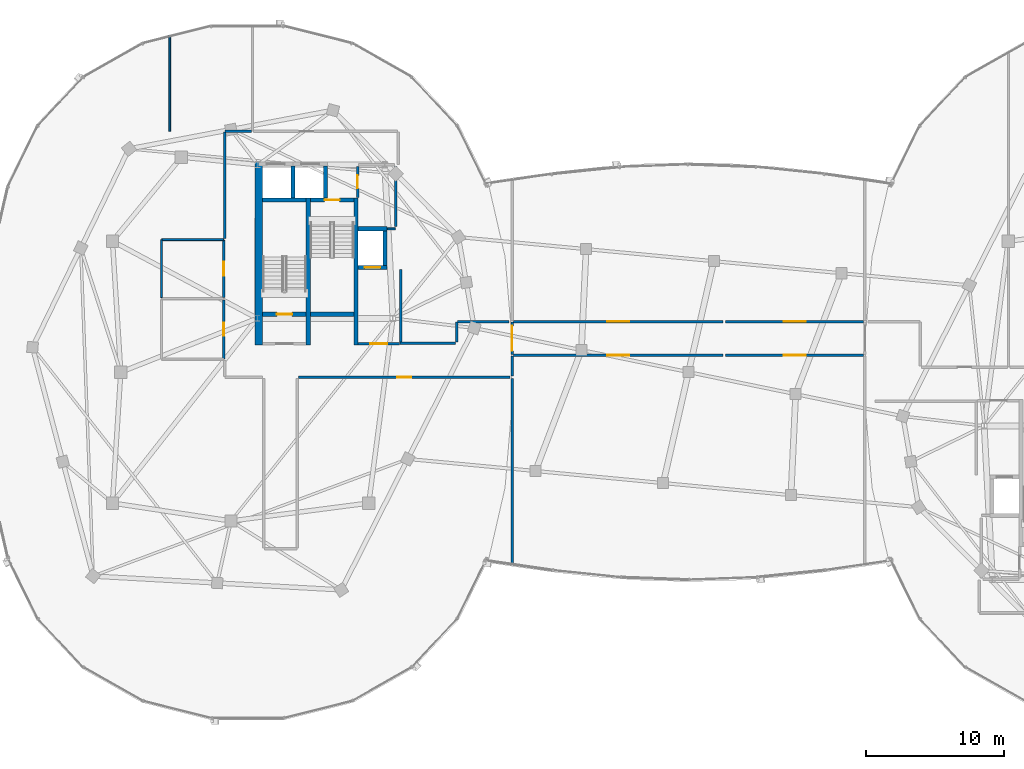
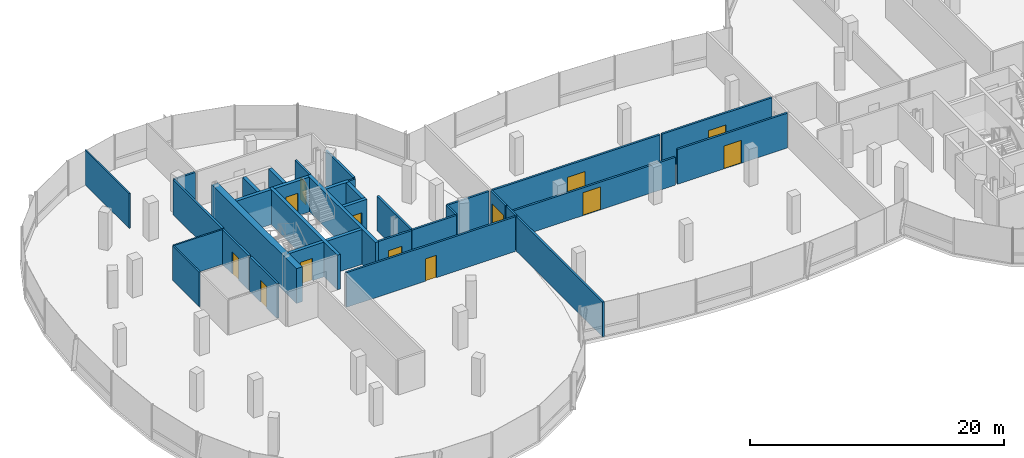
# One storey, part 14 of 24: 35 walls, 13 doors, 13 openings.
"""IFC4 building model written with IfcOpenShell, lengths in metres."""

from ifc_helpers import new_model, si_unit, direction, frame, frame_2d, origin, place, context, subcontext, project, spatial, rectangle, extrude, material, layer, layer_set, type_object, element, fill, save


model = new_model("IFC4")

# Units and contexts
model_context = context("Model", 3, precision=1e-05, world=origin(), true_north=direction((0.0, 1.0)))
body_context = subcontext(model_context, "Body", "Model", "MODEL_VIEW")
ifc_project = project(units=[si_unit("LENGTHUNIT", "METRE"), si_unit("AREAUNIT", "SQUARE_METRE"), si_unit("VOLUMEUNIT", "CUBIC_METRE"), si_unit("PLANEANGLEUNIT", "RADIAN"), si_unit("MASSUNIT", "GRAM", prefix="KILO"), si_unit("THERMODYNAMICTEMPERATUREUNIT", "KELVIN"), si_unit("POWERUNIT", "WATT")], contexts=[model_context])

# Site, building, storey
site_placement = place(None, origin())
site = spatial("IfcSite", under=ifc_project, at=site_placement, CompositionType="ELEMENT")
building_placement = place(site_placement, origin())
building = spatial("IfcBuilding", under=site, at=building_placement, Name="Cundina Bronze Exchange", CompositionType="ELEMENT")
storey_placement = place(building_placement, frame((0.0, 0.0, 268.39990234375)))
storey = spatial("IfcBuildingStorey", under=building, at=storey_placement, Name="L71", CompositionType="ELEMENT", Elevation=268.39990234375)

# Wall
ifc_material_1 = material(Name="Gypsum Fireboard Partition EI120")
ifc_layer_1 = layer(ifc_material_1, 0.179931640625, Name="Gypsum Fireboard Partition EI120")
ifc_layer_set_1 = layer_set([ifc_layer_1], Name="Gypsum Fireboard Partition EI120")
wall_type_1 = type_object("IfcWallType", Name="WL-COR-180", PredefinedType="PARTITIONING", material=ifc_layer_set_1)
wall_1_placement = place(storey_placement, frame((-20.889892578125, 2.14990234375, 0.0), z_axis=(0.0, 0.0, 1.0), x_axis=(0.0, 1.0, 0.0)))
element("IfcWall", 1, at=wall_1_placement, inside=storey, type_object=wall_type_1, Name="L71 W Firefighting Lobby Side Wall", PredefinedType="PARTITIONING", context=body_context, shape_type="SweptSolid", body=[
    extrude(rectangle(XDim=5.300048828125, YDim=0.179931640625, at=frame_2d((2.64990234375, 0.0))), origin(), (0.0, 0.0, 1.0), 3.340087890625),
])

# Wall, opening, door
wall_2_placement = place(storey_placement, frame((-23.97998046875, 2.06005859375, 0.0), z_axis=(0.0, 0.0, 1.0), x_axis=(1.0, 0.0, 0.0)))
wall_2 = element("IfcWall", 2, at=wall_2_placement, inside=storey, type_object=wall_type_1, Name="L71 W Firefighting Lobby Exit Wall", PredefinedType="PARTITIONING", context=body_context, shape_type="SweptSolid", body=[
    extrude(rectangle(XDim=3.0, YDim=0.179931640625, at=frame_2d((1.5, 0.0))), origin(), (0.0, 0.0, 1.0), 3.340087890625),
])
opening_1_placement = place(wall_2_placement, frame((0.89990234375, 0.0, 0.0)))
opening_1 = element("IfcOpeningElement", 3, at=opening_1_placement, cuts=wall_2, Name="Opening DF-01", PredefinedType="OPENING", context=body_context, shape_type="SweptSolid", body=[
    extrude(rectangle(XDim=1.199951171875, YDim=2.14990234375, at=frame_2d((0.60009765625, 1.074951171875))), frame((0.0, 0.099853515625, 0.0), z_axis=(0.0, -1.0, 0.0), x_axis=(1.0, 0.0, 0.0)), (0.0, 0.0, 1.0), 0.199951171875),
])
ifc_material_2 = material(Name="Steel ASTM A36 Painted", Category="steel")
door_type_1 = type_object("IfcDoorType", Name="DR-FFL-1200", OperationType="NOTDEFINED", PredefinedType="DOOR", material=ifc_material_2)
door_1_placement = place(opening_1_placement, origin())
door_1 = element("IfcDoor", 4, at=door_1_placement, inside=storey, type_object=door_type_1, Name="L71 W Firefighting Lobby Door", OperationType="SINGLE_SWING_RIGHT", OverallHeight=2.14990234375, OverallWidth=1.199951171875, PredefinedType="DOOR", context=body_context, shape_type="SweptSolid", body=[
    extrude(rectangle(XDim=1.199951171875, YDim=2.14990234375, at=frame_2d((0.60009765625, 1.074951171875))), frame((0.0, 0.02490234375, 0.0), z_axis=(0.0, -1.0, 0.0), x_axis=(1.0, 0.0, 0.0)), (0.0, 0.0, 1.0), 0.050048828125),
])
fill(opening_1, door_1)

# Wall
wall_3_placement = place(storey_placement, frame((-21.25, 10.570068359375, 0.0), z_axis=(0.0, 0.0, 1.0), x_axis=(0.0, 1.0, 0.0)))
element("IfcWall", 5, at=wall_3_placement, inside=storey, type_object=wall_type_1, Name="L71 Interior Partition 002", PredefinedType="PARTITIONING", context=body_context, shape_type="SweptSolid", body=[
    extrude(rectangle(XDim=4.35986328125, YDim=0.179931640625, at=frame_2d((2.179931640625, 0.0))), origin(), (0.0, 0.0, 1.0), 3.340087890625),
])

# Wall, opening, door
wall_4_placement = place(storey_placement, frame((-24.02001953125, 12.669921875, 0.0), z_axis=(0.0, 0.0, 1.0), x_axis=(0.0, 1.0, 0.0)))
wall_4 = element("IfcWall", 6, at=wall_4_placement, inside=storey, type_object=wall_type_1, Name="L71 Interior Partition 004", PredefinedType="PARTITIONING", context=body_context, shape_type="SweptSolid", body=[
    extrude(rectangle(XDim=2.260009765625, YDim=0.179931640625, at=frame_2d((1.1298828125, 0.0))), origin(), (0.0, 0.0, 1.0), 3.340087890625),
])
opening_2_placement = place(wall_4_placement, frame((0.655029296875, 0.0, 0.0)))
opening_2 = element("IfcOpeningElement", 7, at=opening_2_placement, cuts=wall_4, Name="Opening DW-01", PredefinedType="OPENING", context=body_context, shape_type="SweptSolid", body=[
    extrude(rectangle(XDim=0.949951171875, YDim=2.10009765625, at=frame_2d((0.47509765625, 1.050048828125))), frame((0.0, 0.099853515625, 0.0), z_axis=(0.0, -1.0, 0.0), x_axis=(1.0, 0.0, 0.0)), (0.0, 0.0, 1.0), 0.199951171875),
])
ifc_material_3 = material(Name="Solid Andean Oak Timber Grade A", Category="wood")
door_type_2 = type_object("IfcDoorType", Name="DR-WC-950", OperationType="NOTDEFINED", PredefinedType="DOOR", material=ifc_material_3)
door_2_placement = place(opening_2_placement, origin())
door_2 = element("IfcDoor", 8, at=door_2_placement, inside=storey, type_object=door_type_2, Name="L71 Interior Door 004", OperationType="SINGLE_SWING_LEFT", OverallHeight=2.10009765625, OverallWidth=0.949951171875, PredefinedType="DOOR", context=body_context, shape_type="SweptSolid", body=[
    extrude(rectangle(XDim=0.949951171875, YDim=2.10009765625, at=frame_2d((0.47509765625, 1.050048828125))), frame((0.0, 0.02490234375, 0.0), z_axis=(0.0, -1.0, 0.0), x_axis=(1.0, 0.0, 0.0)), (0.0, 0.0, 1.0), 0.050048828125),
])
fill(opening_2, door_2)

wall_5_placement = place(storey_placement, frame((-33.719970703125, 0.969970703125, 0.0), z_axis=(0.0, 0.0, 1.0), x_axis=(0.0, 1.0, 0.0)))
wall_5 = element("IfcWall", 9, at=wall_5_placement, inside=storey, type_object=wall_type_1, Name="L71 Interior Partition 010", PredefinedType="PARTITIONING", context=body_context, shape_type="SweptSolid", body=[
    extrude(rectangle(XDim=4.260009765625, YDim=0.179931640625, at=frame_2d((2.1298828125, 0.0))), origin(), (0.0, 0.0, 1.0), 3.340087890625),
])
opening_3_placement = place(wall_5_placement, frame((1.655029296875, 0.0, 0.0)))
opening_3 = element("IfcOpeningElement", 10, at=opening_3_placement, cuts=wall_5, Name="Opening DW-01", PredefinedType="OPENING", context=body_context, shape_type="SweptSolid", body=[
    extrude(rectangle(XDim=0.949951171875, YDim=2.10009765625, at=frame_2d((0.47509765625, 1.050048828125))), frame((0.0, 0.099853515625, 0.0), z_axis=(0.0, -1.0, 0.0), x_axis=(1.0, 0.0, 0.0)), (0.0, 0.0, 1.0), 0.199951171875),
])
door_3_placement = place(opening_3_placement, origin())
door_3 = element("IfcDoor", 11, at=door_3_placement, inside=storey, type_object=door_type_2, Name="L71 Interior Door 010", OperationType="SINGLE_SWING_LEFT", OverallHeight=2.10009765625, OverallWidth=0.949951171875, PredefinedType="DOOR", context=body_context, shape_type="SweptSolid", body=[
    extrude(rectangle(XDim=0.949951171875, YDim=2.10009765625, at=frame_2d((0.47509765625, 1.050048828125))), frame((0.0, 0.02490234375, 0.0), z_axis=(0.0, -1.0, 0.0), x_axis=(1.0, 0.0, 0.0)), (0.0, 0.0, 1.0), 0.050048828125),
])
fill(opening_3, door_3)

wall_6_placement = place(storey_placement, frame((-33.719970703125, 5.429931640625, 0.0), z_axis=(0.0, 0.0, 1.0), x_axis=(0.0, 1.0, 0.0)))
wall_6 = element("IfcWall", 12, at=wall_6_placement, inside=storey, type_object=wall_type_1, Name="L71 Interior Partition 011", PredefinedType="PARTITIONING", context=body_context, shape_type="SweptSolid", body=[
    extrude(rectangle(XDim=4.16015625, YDim=0.179931640625, at=frame_2d((2.080078125, 0.0))), origin(), (0.0, 0.0, 1.0), 3.340087890625),
])
opening_4_placement = place(wall_6_placement, frame((1.580078125, 0.0, 0.0)))
opening_4 = element("IfcOpeningElement", 13, at=opening_4_placement, cuts=wall_6, Name="Opening DO-01", PredefinedType="OPENING", context=body_context, shape_type="SweptSolid", body=[
    extrude(rectangle(XDim=1.0, YDim=2.14990234375, at=frame_2d((0.5, 1.074951171875))), frame((0.0, 0.099853515625, 0.0), z_axis=(0.0, -1.0, 0.0), x_axis=(1.0, 0.0, 0.0)), (0.0, 0.0, 1.0), 0.199951171875),
])
door_type_3 = type_object("IfcDoorType", Name="DR-OFF-1000", OperationType="NOTDEFINED", PredefinedType="DOOR", material=ifc_material_3)
door_4_placement = place(opening_4_placement, origin())
door_4 = element("IfcDoor", 14, at=door_4_placement, inside=storey, type_object=door_type_3, Name="L71 Interior Door 011", OperationType="SINGLE_SWING_LEFT", OverallHeight=2.14990234375, OverallWidth=1.0, PredefinedType="DOOR", context=body_context, shape_type="SweptSolid", body=[
    extrude(rectangle(XDim=1.0, YDim=2.14990234375, at=frame_2d((0.5, 1.074951171875))), frame((0.0, 0.02490234375, 0.0), z_axis=(0.0, -1.0, 0.0), x_axis=(1.0, 0.0, 0.0)), (0.0, 0.0, 1.0), 0.050048828125),
])
fill(opening_4, door_4)

wall_7_placement = place(storey_placement, frame((-28.300048828125, -0.3701171875, 0.0), z_axis=(0.0, 0.0, 1.0), x_axis=(1.0, 0.0, 0.0)))
wall_7 = element("IfcWall", 15, at=wall_7_placement, inside=storey, type_object=wall_type_1, Name="L71 Interior Partition 014", PredefinedType="PARTITIONING", context=body_context, shape_type="SweptSolid", body=[
    extrude(rectangle(XDim=15.34912109375, YDim=0.179931640625, at=frame_2d((7.674560546875, 0.0))), origin(), (0.0, 0.0, 1.0), 3.340087890625),
])
opening_5_placement = place(wall_7_placement, frame((7.174560546875, 0.0, 0.0)))
opening_5 = element("IfcOpeningElement", 16, at=opening_5_placement, cuts=wall_7, Name="Opening DO-01", PredefinedType="OPENING", context=body_context, shape_type="SweptSolid", body=[
    extrude(rectangle(XDim=1.0, YDim=2.14990234375, at=frame_2d((0.5, 1.074951171875))), frame((0.0, 0.099853515625, 0.0), z_axis=(0.0, -1.0, 0.0), x_axis=(1.0, 0.0, 0.0)), (0.0, 0.0, 1.0), 0.199951171875),
])
door_5_placement = place(opening_5_placement, origin())
door_5 = element("IfcDoor", 17, at=door_5_placement, inside=storey, type_object=door_type_3, Name="L71 Interior Door 014", OperationType="SINGLE_SWING_LEFT", OverallHeight=2.14990234375, OverallWidth=1.0, PredefinedType="DOOR", context=body_context, shape_type="SweptSolid", body=[
    extrude(rectangle(XDim=1.0, YDim=2.14990234375, at=frame_2d((0.5, 1.074951171875))), frame((0.0, 0.02490234375, 0.0), z_axis=(0.0, -1.0, 0.0), x_axis=(1.0, 0.0, 0.0)), (0.0, 0.0, 1.0), 0.050048828125),
])
fill(opening_5, door_5)

# Walls
wall_8_placement = place(storey_placement, frame((-33.669921875, 17.428466796875, 0.0), z_axis=(0.0, 0.0, 1.0), x_axis=(0.0, -1.0, 0.0)))
element("IfcWall", 18, at=wall_8_placement, inside=storey, type_object=wall_type_1, Name="L71 Interior Partition 017", PredefinedType="PARTITIONING", context=body_context, shape_type="SweptSolid", body=[
    extrude(rectangle(XDim=7.72705078125, YDim=0.179931640625, at=frame_2d((3.863525390625, 0.0))), origin(), (0.0, 0.0, 1.0), 3.340087890625),
])
wall_9_placement = place(storey_placement, frame((-31.72998046875, 17.469970703125, 0.0), z_axis=(0.0, 0.0, 1.0), x_axis=(-1.0, 0.0, 0.0)))
element("IfcWall", 19, at=wall_9_placement, inside=storey, type_object=wall_type_1, Name="L71 Interior Partition 020", PredefinedType="PARTITIONING", context=body_context, shape_type="SweptSolid", body=[
    extrude(rectangle(XDim=1.8984375, YDim=0.179931640625, at=frame_2d((0.94921875, 0.0))), origin(), (0.0, 0.0, 1.0), 3.340087890625),
])
wall_10_placement = place(storey_placement, frame((-16.89990234375, 2.10009765625, 0.0), z_axis=(0.0, 0.0, 1.0), x_axis=(-1.0, 0.0, 0.0)))
element("IfcWall", 20, at=wall_10_placement, inside=storey, type_object=wall_type_1, Name="L71 Interior Partition 023", PredefinedType="PARTITIONING", context=body_context, shape_type="SweptSolid", body=[
    extrude(rectangle(XDim=4.02001953125, YDim=0.179931640625, at=frame_2d((2.010009765625, 0.0))), origin(), (0.0, 0.0, 1.0), 3.340087890625),
])
wall_11_placement = place(storey_placement, frame((-13.025634765625, 3.669921875, 0.0), z_axis=(0.0, 0.0, 1.0), x_axis=(-1.0, 0.0, 0.0)))
element("IfcWall", 21, at=wall_11_placement, inside=storey, type_object=wall_type_1, Name="L71 Interior Partition 024", PredefinedType="PARTITIONING", context=body_context, shape_type="SweptSolid", body=[
    extrude(rectangle(XDim=3.7529296875, YDim=0.179931640625, at=frame_2d((1.87646484375, 0.0))), origin(), (0.0, 0.0, 1.0), 3.340087890625),
])
wall_12_placement = place(storey_placement, frame((-16.820068359375, 3.62841796875, 0.0), z_axis=(0.0, 0.0, 1.0), x_axis=(0.0, -1.0, 0.0)))
element("IfcWall", 22, at=wall_12_placement, inside=storey, type_object=wall_type_1, Name="L71 Interior Partition 026", PredefinedType="PARTITIONING", context=body_context, shape_type="SweptSolid", body=[
    extrude(rectangle(XDim=1.448486328125, YDim=0.179931640625, at=frame_2d((0.72412109375, 0.0))), origin(), (0.0, 0.0, 1.0), 3.340087890625),
])

# Wall, opening, door
wall_13_placement = place(storey_placement, frame((-12.6884765625, 1.22998046875, 0.0), z_axis=(0.0, 0.0, 1.0), x_axis=(1.0, 0.0, 0.0)))
wall_13 = element("IfcWall", 23, at=wall_13_placement, inside=storey, type_object=wall_type_1, Name="L71 Interior Partition 052", PredefinedType="PARTITIONING", context=body_context, shape_type="SweptSolid", body=[
    extrude(rectangle(XDim=15.193359375, YDim=0.179931640625, at=frame_2d((7.5966796875, 0.0))), origin(), (0.0, 0.0, 1.0), 2.6630859375),
])
opening_6_placement = place(wall_13_placement, frame((6.796875, 0.0, 0.0)))
opening_6 = element("IfcOpeningElement", 24, at=opening_6_placement, cuts=wall_13, Name="Opening DO-02", PredefinedType="OPENING", context=body_context, shape_type="SweptSolid", body=[
    extrude(rectangle(XDim=1.60009765625, YDim=2.199951171875, at=frame_2d((0.800048828125, 1.10009765625))), frame((0.0, 0.099853515625, 0.0), z_axis=(0.0, -1.0, 0.0), x_axis=(1.0, 0.0, 0.0)), (0.0, 0.0, 1.0), 0.199951171875),
])
door_type_4 = type_object("IfcDoorType", Name="DR-TRD-1600", OperationType="NOTDEFINED", PredefinedType="DOOR", material=ifc_material_3)
door_6_placement = place(opening_6_placement, origin())
door_6 = element("IfcDoor", 25, at=door_6_placement, inside=storey, type_object=door_type_4, Name="L71 Interior Door 052", OperationType="SINGLE_SWING_RIGHT", OverallHeight=2.199951171875, OverallWidth=1.60009765625, PredefinedType="DOOR", context=body_context, shape_type="SweptSolid", body=[
    extrude(rectangle(XDim=1.60009765625, YDim=2.199951171875, at=frame_2d((0.800048828125, 1.10009765625))), frame((0.0, 0.02490234375, 0.0), z_axis=(0.0, -1.0, 0.0), x_axis=(1.0, 0.0, 0.0)), (0.0, 0.0, 1.0), 0.050048828125),
])
fill(opening_6, door_6)

wall_14_placement = place(storey_placement, frame((2.695068359375, 1.22998046875, 0.0), z_axis=(0.0, 0.0, 1.0), x_axis=(1.0, 0.0, 0.0)))
wall_14 = element("IfcWall", 26, at=wall_14_placement, inside=storey, type_object=wall_type_1, Name="L71 Interior Partition 053", PredefinedType="PARTITIONING", context=body_context, shape_type="SweptSolid", body=[
    extrude(rectangle(XDim=9.993408203125, YDim=0.179931640625, at=frame_2d((4.99658203125, 0.0))), origin(), (0.0, 0.0, 1.0), 3.340087890625),
])
opening_7_placement = place(wall_14_placement, frame((4.19677734375, 0.0, 0.0)))
opening_7 = element("IfcOpeningElement", 27, at=opening_7_placement, cuts=wall_14, Name="Opening DO-02", PredefinedType="OPENING", context=body_context, shape_type="SweptSolid", body=[
    extrude(rectangle(XDim=1.60009765625, YDim=2.199951171875, at=frame_2d((0.800048828125, 1.10009765625))), frame((0.0, 0.099853515625, 0.0), z_axis=(0.0, -1.0, 0.0), x_axis=(1.0, 0.0, 0.0)), (0.0, 0.0, 1.0), 0.199951171875),
])
door_7_placement = place(opening_7_placement, origin())
door_7 = element("IfcDoor", 28, at=door_7_placement, inside=storey, type_object=door_type_4, Name="L71 Interior Door 053", OperationType="SINGLE_SWING_RIGHT", OverallHeight=2.199951171875, OverallWidth=1.60009765625, PredefinedType="DOOR", context=body_context, shape_type="SweptSolid", body=[
    extrude(rectangle(XDim=1.60009765625, YDim=2.199951171875, at=frame_2d((0.800048828125, 1.10009765625))), frame((0.0, 0.02490234375, 0.0), z_axis=(0.0, -1.0, 0.0), x_axis=(1.0, 0.0, 0.0)), (0.0, 0.0, 1.0), 0.050048828125),
])
fill(opening_7, door_7)

wall_15_placement = place(storey_placement, frame((12.6884765625, 3.669921875, 0.0), z_axis=(0.0, 0.0, 1.0), x_axis=(-1.0, 0.0, 0.0)))
wall_15 = element("IfcWall", 29, at=wall_15_placement, inside=storey, type_object=wall_type_1, Name="L71 Interior Partition 054", PredefinedType="PARTITIONING", context=body_context, shape_type="SweptSolid", body=[
    extrude(rectangle(XDim=9.993408203125, YDim=0.179931640625, at=frame_2d((4.99658203125, 0.0))), origin(), (0.0, 0.0, 1.0), 3.340087890625),
])
opening_8_placement = place(wall_15_placement, frame((4.19677734375, 0.0, 0.0)))
opening_8 = element("IfcOpeningElement", 30, at=opening_8_placement, cuts=wall_15, Name="Opening DO-02", PredefinedType="OPENING", context=body_context, shape_type="SweptSolid", body=[
    extrude(rectangle(XDim=1.60009765625, YDim=2.199951171875, at=frame_2d((0.800048828125, 1.10009765625))), frame((0.0, 0.099853515625, 0.0), z_axis=(0.0, -1.0, 0.0), x_axis=(1.0, 0.0, 0.0)), (0.0, 0.0, 1.0), 0.199951171875),
])
door_8_placement = place(opening_8_placement, origin())
door_8 = element("IfcDoor", 31, at=door_8_placement, inside=storey, type_object=door_type_4, Name="L71 Interior Door 054", OperationType="SINGLE_SWING_LEFT", OverallHeight=2.199951171875, OverallWidth=1.60009765625, PredefinedType="DOOR", context=body_context, shape_type="SweptSolid", body=[
    extrude(rectangle(XDim=1.60009765625, YDim=2.199951171875, at=frame_2d((0.800048828125, 1.10009765625))), frame((0.0, 0.02490234375, 0.0), z_axis=(0.0, -1.0, 0.0), x_axis=(1.0, 0.0, 0.0)), (0.0, 0.0, 1.0), 0.050048828125),
])
fill(opening_8, door_8)

wall_16_placement = place(storey_placement, frame((2.5048828125, 3.669921875, 0.0), z_axis=(0.0, 0.0, 1.0), x_axis=(-1.0, 0.0, 0.0)))
wall_16 = element("IfcWall", 32, at=wall_16_placement, inside=storey, type_object=wall_type_1, Name="L71 Interior Partition 055", PredefinedType="PARTITIONING", context=body_context, shape_type="SweptSolid", body=[
    extrude(rectangle(XDim=15.193359375, YDim=0.179931640625, at=frame_2d((7.5966796875, 0.0))), origin(), (0.0, 0.0, 1.0), 3.340087890625),
])
opening_9_placement = place(wall_16_placement, frame((6.796875, 0.0, 0.0)))
opening_9 = element("IfcOpeningElement", 33, at=opening_9_placement, cuts=wall_16, Name="Opening DO-02", PredefinedType="OPENING", context=body_context, shape_type="SweptSolid", body=[
    extrude(rectangle(XDim=1.60009765625, YDim=2.199951171875, at=frame_2d((0.800048828125, 1.10009765625))), frame((0.0, 0.099853515625, 0.0), z_axis=(0.0, -1.0, 0.0), x_axis=(1.0, 0.0, 0.0)), (0.0, 0.0, 1.0), 0.199951171875),
])
door_9_placement = place(opening_9_placement, origin())
door_9 = element("IfcDoor", 34, at=door_9_placement, inside=storey, type_object=door_type_4, Name="L71 Interior Door 055", OperationType="SINGLE_SWING_LEFT", OverallHeight=2.199951171875, OverallWidth=1.60009765625, PredefinedType="DOOR", context=body_context, shape_type="SweptSolid", body=[
    extrude(rectangle(XDim=1.60009765625, YDim=2.199951171875, at=frame_2d((0.800048828125, 1.10009765625))), frame((0.0, 0.02490234375, 0.0), z_axis=(0.0, -1.0, 0.0), x_axis=(1.0, 0.0, 0.0)), (0.0, 0.0, 1.0), 0.050048828125),
])
fill(opening_9, door_9)

# Walls
wall_17_placement = place(storey_placement, frame((-12.800048828125, -14.043701171875, 0.0), z_axis=(0.0, 0.0, 1.0), x_axis=(0.0, 1.0, 0.0)))
element("IfcWall", 35, at=wall_17_placement, inside=storey, type_object=wall_type_1, Name="L71 Interior Partition 056", PredefinedType="PARTITIONING", context=body_context, shape_type="SweptSolid", body=[
    extrude(rectangle(XDim=13.588623046875, YDim=0.179931640625, at=frame_2d((6.79443359375, 0.0))), origin(), (0.0, 0.0, 1.0), 3.340087890625),
])
wall_18_placement = place(storey_placement, frame((-12.800048828125, -0.284912109375, 0.0), z_axis=(0.0, 0.0, 1.0), x_axis=(0.0, 1.0, 0.0)))
element("IfcWall", 36, at=wall_18_placement, inside=storey, type_object=wall_type_1, Name="L71 Interior Partition 057", PredefinedType="PARTITIONING", context=body_context, shape_type="SweptSolid", body=[
    extrude(rectangle(XDim=1.44482421875, YDim=0.179931640625, at=frame_2d((0.722412109375, 0.0))), origin(), (0.0, 0.0, 1.0), 3.340087890625),
])

# Wall, opening, door
wall_19_placement = place(storey_placement, frame((-12.800048828125, 1.280029296875, 0.0), z_axis=(0.0, 0.0, 1.0), x_axis=(0.0, 1.0, 0.0)))
wall_19 = element("IfcWall", 37, at=wall_19_placement, inside=storey, type_object=wall_type_1, Name="L71 Interior Partition 059", PredefinedType="PARTITIONING", context=body_context, shape_type="SweptSolid", body=[
    extrude(rectangle(XDim=2.340087890625, YDim=0.179931640625, at=frame_2d((1.169921875, 0.0))), origin(), (0.0, 0.0, 1.0), 3.340087890625),
])
opening_10_placement = place(wall_19_placement, frame((0.27001953125, 0.0, 0.0)))
opening_10 = element("IfcOpeningElement", 38, at=opening_10_placement, cuts=wall_19, Name="Opening DB-01", PredefinedType="OPENING", context=body_context, shape_type="SweptSolid", body=[
    extrude(rectangle(XDim=1.800048828125, YDim=2.25, at=frame_2d((0.89990234375, 1.125))), frame((0.0, 0.099853515625, 0.0), z_axis=(0.0, -1.0, 0.0), x_axis=(1.0, 0.0, 0.0)), (0.0, 0.0, 1.0), 0.199951171875),
])
door_type_5 = type_object("IfcDoorType", Name="DR-BRG-1800", OperationType="NOTDEFINED", PredefinedType="DOOR", material=ifc_material_2)
door_10_placement = place(opening_10_placement, origin())
door_10 = element("IfcDoor", 39, at=door_10_placement, inside=storey, type_object=door_type_5, Name="L71 Interior Door 059", OperationType="DOUBLE_DOOR_SINGLE_SWING", OverallHeight=2.25, OverallWidth=1.800048828125, PredefinedType="DOOR", context=body_context, shape_type="SweptSolid", body=[
    extrude(rectangle(XDim=1.800048828125, YDim=2.25, at=frame_2d((0.89990234375, 1.125))), frame((0.0, 0.02490234375, 0.0), z_axis=(0.0, -1.0, 0.0), x_axis=(1.0, 0.0, 0.0)), (0.0, 0.0, 1.0), 0.050048828125),
])
fill(opening_10, door_10)

# Walls
ifc_material_4 = material(Name="Concrete C50/60", Category="concrete")
ifc_layer_2 = layer(ifc_material_4, 0.550048828125, Name="Concrete C50/60", Category="concrete")
ifc_layer_set_2 = layer_set([ifc_layer_2], Name="Concrete C50/60")
wall_type_2 = type_object("IfcWallType", Name="WL-CORE-550", PredefinedType="SHEAR", material=ifc_layer_set_2)
wall_20_placement = place(storey_placement, frame((-31.175048828125, 1.969970703125, 0.0), z_axis=(0.0, 0.0, 1.0), x_axis=(0.0, 1.0, 0.0)))
element("IfcWall", 40, at=wall_20_placement, inside=storey, type_object=wall_type_2, Name="L71 W Primary Core Shear Spine Wall", PredefinedType="SHEAR", context=body_context, shape_type="SweptSolid", body=[
    extrude(rectangle(XDim=13.330078125, YDim=0.550048828125, at=frame_2d((6.6650390625, 0.0))), origin(), (0.0, 0.0, 1.0), 3.340087890625),
])
ifc_material_5 = material(Name="Gypsum Acoustic Partition EI60")
ifc_layer_3 = layer(ifc_material_5, 0.125, Name="Gypsum Acoustic Partition EI60")
ifc_layer_set_3 = layer_set([ifc_layer_3], Name="Gypsum Acoustic Partition EI60")
wall_type_3 = type_object("IfcWallType", Name="WL-OFF-125", PredefinedType="PARTITIONING", material=ifc_layer_set_3)
wall_21_placement = place(storey_placement, frame((-37.639892578125, 17.469970703125, 0.0), z_axis=(0.0, 0.0, 1.0), x_axis=(0.0, 1.0, 0.0)))
element("IfcWall", 41, at=wall_21_placement, inside=storey, type_object=wall_type_3, Name="L71 Interior Partition 012", PredefinedType="PARTITIONING", context=body_context, shape_type="SweptSolid", body=[
    extrude(rectangle(XDim=6.9609375, YDim=0.125, at=frame_2d((3.48046875, 0.0))), origin(), (0.0, 0.0, 1.0), 3.340087890625),
])
ifc_layer_4 = layer(ifc_material_4, 0.300048828125, Name="Concrete C50/60", Category="concrete")
ifc_layer_set_4 = layer_set([ifc_layer_4], Name="Concrete C50/60")
wall_type_4 = type_object("IfcWallType", Name="WL-SHFT-300", PredefinedType="SHEAR", material=ifc_layer_set_4)
for number, where, z_axis, x_axis, name in (
    (42, (-27.590087890625, 1.969970703125, 0.0), (0.0, 0.0, 1.0), (0.0, 1.0, 0.0), "L71 W Stair Shaft Dividing Shear Wall"),
    (43, (-24.1298828125, 1.969970703125, 0.0), (0.0, 0.0, 1.0), (0.0, 1.0, 0.0), "L71 W Stair 2 East Shear Wall"),
):
    element("IfcWall", number, at=place(storey_placement, frame(where, z_axis=z_axis, x_axis=x_axis)), inside=storey, type_object=wall_type_4, Name=name, PredefinedType="SHEAR", context=body_context, shape_type="SweptSolid", body=[
        extrude(rectangle(XDim=10.679931640625, YDim=0.300048828125, at=frame_2d((5.33984375, 0.0))), origin(), (0.0, 0.0, 1.0), 3.340087890625),
    ])

# Wall, opening, door
wall_22_placement = place(storey_placement, frame((-30.89990234375, 4.199951171875, 0.0), z_axis=(0.0, 0.0, 1.0), x_axis=(1.0, 0.0, 0.0)))
wall_22 = element("IfcWall", 44, at=wall_22_placement, inside=storey, type_object=wall_type_4, Name="L71 Stair W1 Landing Wall", PredefinedType="SHEAR", context=body_context, shape_type="SweptSolid", body=[
    extrude(rectangle(XDim=3.159912109375, YDim=0.300048828125, at=frame_2d((1.580078125, 0.0))), origin(), (0.0, 0.0, 1.0), 3.340087890625),
])
opening_11_placement = place(wall_22_placement, frame((1.030029296875, 0.0, 0.0)))
opening_11 = element("IfcOpeningElement", 45, at=opening_11_placement, cuts=wall_22, Name="Opening DS-01", PredefinedType="OPENING", context=body_context, shape_type="SweptSolid", body=[
    extrude(rectangle(XDim=1.10009765625, YDim=2.14990234375, at=frame_2d((0.550048828125, 1.074951171875))), frame((0.0, 0.159912109375, 0.0), z_axis=(0.0, -1.0, 0.0), x_axis=(1.0, 0.0, 0.0)), (0.0, 0.0, 1.0), 0.320068359375),
])
door_type_6 = type_object("IfcDoorType", Name="DR-STR-1100", OperationType="NOTDEFINED", PredefinedType="DOOR", material=ifc_material_2)
door_11_placement = place(opening_11_placement, origin())
door_11 = element("IfcDoor", 46, at=door_11_placement, inside=storey, type_object=door_type_6, Name="L71 Smokeproof Stair W1 Door", OperationType="SINGLE_SWING_RIGHT", OverallHeight=2.14990234375, OverallWidth=1.10009765625, PredefinedType="DOOR", context=body_context, shape_type="SweptSolid", body=[
    extrude(rectangle(XDim=1.10009765625, YDim=2.14990234375, at=frame_2d((0.550048828125, 1.074951171875))), frame((0.0, 0.02490234375, 0.0), z_axis=(0.0, -1.0, 0.0), x_axis=(1.0, 0.0, 0.0)), (0.0, 0.0, 1.0), 0.050048828125),
])
fill(opening_11, door_11)

# Wall
wall_23_placement = place(storey_placement, frame((-30.89990234375, 12.5, 0.0), z_axis=(0.0, 0.0, 1.0), x_axis=(1.0, 0.0, 0.0)))
element("IfcWall", 47, at=wall_23_placement, inside=storey, type_object=wall_type_4, Name="L71 Stair W1 Far Shaft Wall", PredefinedType="SHEAR", context=body_context, shape_type="SweptSolid", body=[
    extrude(rectangle(XDim=3.159912109375, YDim=0.300048828125, at=frame_2d((1.580078125, 0.0))), origin(), (0.0, 0.0, 1.0), 3.340087890625),
])

# Wall, opening, door
wall_24_placement = place(storey_placement, frame((-27.43994140625, 12.5, 0.0), z_axis=(0.0, 0.0, 1.0), x_axis=(1.0, 0.0, 0.0)))
wall_24 = element("IfcWall", 48, at=wall_24_placement, inside=storey, type_object=wall_type_4, Name="L71 Stair W2 Landing Wall", PredefinedType="SHEAR", context=body_context, shape_type="SweptSolid", body=[
    extrude(rectangle(XDim=3.159912109375, YDim=0.300048828125, at=frame_2d((1.580078125, 0.0))), origin(), (0.0, 0.0, 1.0), 3.340087890625),
])
opening_12_placement = place(wall_24_placement, frame((1.030029296875, 0.0, 0.0)))
opening_12 = element("IfcOpeningElement", 49, at=opening_12_placement, cuts=wall_24, Name="Opening DS-01", PredefinedType="OPENING", context=body_context, shape_type="SweptSolid", body=[
    extrude(rectangle(XDim=1.10009765625, YDim=2.14990234375, at=frame_2d((0.550048828125, 1.074951171875))), frame((0.0, 0.159912109375, 0.0), z_axis=(0.0, -1.0, 0.0), x_axis=(1.0, 0.0, 0.0)), (0.0, 0.0, 1.0), 0.320068359375),
])
door_12_placement = place(opening_12_placement, origin())
door_12 = element("IfcDoor", 50, at=door_12_placement, inside=storey, type_object=door_type_6, Name="L71 Smokeproof Stair W2 Door", OperationType="SINGLE_SWING_LEFT", OverallHeight=2.14990234375, OverallWidth=1.10009765625, PredefinedType="DOOR", context=body_context, shape_type="SweptSolid", body=[
    extrude(rectangle(XDim=1.10009765625, YDim=2.14990234375, at=frame_2d((0.550048828125, 1.074951171875))), frame((0.0, 0.02490234375, 0.0), z_axis=(0.0, -1.0, 0.0), x_axis=(1.0, 0.0, 0.0)), (0.0, 0.0, 1.0), 0.050048828125),
])
fill(opening_12, door_12)

# Wall
wall_25_placement = place(storey_placement, frame((-27.43994140625, 4.199951171875, 0.0), z_axis=(0.0, 0.0, 1.0), x_axis=(1.0, 0.0, 0.0)))
element("IfcWall", 51, at=wall_25_placement, inside=storey, type_object=wall_type_4, Name="L71 Stair W2 Far Shaft Wall", PredefinedType="SHEAR", context=body_context, shape_type="SweptSolid", body=[
    extrude(rectangle(XDim=3.159912109375, YDim=0.300048828125, at=frame_2d((1.580078125, 0.0))), origin(), (0.0, 0.0, 1.0), 3.340087890625),
])

# Wall, opening, door
wall_26_placement = place(storey_placement, frame((-23.97998046875, 7.60009765625, 0.0), z_axis=(0.0, 0.0, 1.0), x_axis=(1.0, 0.0, 0.0)))
wall_26 = element("IfcWall", 52, at=wall_26_placement, inside=storey, type_object=wall_type_4, Name="L71 FFL-W Hoistway Front Wall", PredefinedType="SHEAR", context=body_context, shape_type="SweptSolid", body=[
    extrude(rectangle(XDim=2.10009765625, YDim=0.300048828125, at=frame_2d((1.050048828125, 0.0))), origin(), (0.0, 0.0, 1.0), 3.340087890625),
])
opening_13_placement = place(wall_26_placement, frame((0.47509765625, 0.0, 0.0)))
opening_13 = element("IfcOpeningElement", 53, at=opening_13_placement, cuts=wall_26, Name="Opening LD-01", PredefinedType="OPENING", context=body_context, shape_type="SweptSolid", body=[
    extrude(rectangle(XDim=1.14990234375, YDim=2.199951171875, at=frame_2d((0.574951171875, 1.10009765625))), frame((0.0, 0.159912109375, 0.0), z_axis=(0.0, -1.0, 0.0), x_axis=(1.0, 0.0, 0.0)), (0.0, 0.0, 1.0), 0.320068359375),
])
door_type_7 = type_object("IfcDoorType", Name="DR-LND-1150", OperationType="NOTDEFINED", PredefinedType="TRAPDOOR", material=ifc_material_2)
door_13_placement = place(opening_13_placement, origin())
door_13 = element("IfcDoor", 54, at=door_13_placement, inside=storey, type_object=door_type_7, Name="L71 FFL-W Sliding Landing Door", OperationType="SLIDING_TO_LEFT", OverallHeight=2.199951171875, OverallWidth=1.14990234375, PredefinedType="TRAPDOOR", context=body_context, shape_type="SweptSolid", body=[
    extrude(rectangle(XDim=1.14990234375, YDim=2.199951171875, at=frame_2d((0.574951171875, 1.10009765625))), frame((0.0, 0.02490234375, 0.0), z_axis=(0.0, -1.0, 0.0), x_axis=(1.0, 0.0, 0.0)), (0.0, 0.0, 1.0), 0.050048828125),
])
fill(opening_13, door_13)

# Walls
wall_27_placement = place(storey_placement, frame((-23.97998046875, 10.39990234375, 0.0), z_axis=(0.0, 0.0, 1.0), x_axis=(1.0, 0.0, 0.0)))
element("IfcWall", 55, at=wall_27_placement, inside=storey, type_object=wall_type_4, Name="L71 FFL-W Hoistway Back Wall", PredefinedType="SHEAR", context=body_context, shape_type="SweptSolid", body=[
    extrude(rectangle(XDim=2.10009765625, YDim=0.300048828125, at=frame_2d((1.050048828125, 0.0))), origin(), (0.0, 0.0, 1.0), 3.340087890625),
])
wall_28_placement = place(storey_placement, frame((-22.030029296875, 7.75, 0.0), z_axis=(0.0, 0.0, 1.0), x_axis=(0.0, 1.0, 0.0)))
element("IfcWall", 56, at=wall_28_placement, inside=storey, type_object=wall_type_4, Name="L71 FFL-W Hoistway Side Wall", PredefinedType="SHEAR", context=body_context, shape_type="SweptSolid", body=[
    extrude(rectangle(XDim=2.5, YDim=0.300048828125, at=frame_2d((1.25, 0.0))), origin(), (0.0, 0.0, 1.0), 3.340087890625),
])
for number, where, z_axis, x_axis, name in (
    (57, (-28.699951171875, 12.64990234375, 0.0), (0.0, 0.0, 1.0), (0.0, 1.0, 0.0), "L71 PH-W1 Hoistway Divider Wall"),
    (58, (-26.35009765625, 12.64990234375, 0.0), (0.0, 0.0, 1.0), (0.0, 1.0, 0.0), "L71 PH-W2 Hoistway Divider Wall"),
):
    element("IfcWall", number, at=place(storey_placement, frame(where, z_axis=z_axis, x_axis=x_axis)), inside=storey, type_object=wall_type_4, Name=name, PredefinedType="SHEAR", context=body_context, shape_type="SweptSolid", body=[
        extrude(rectangle(XDim=2.300048828125, YDim=0.300048828125, at=frame_2d((1.14990234375, 0.0))), origin(), (0.0, 0.0, 1.0), 3.340087890625),
    ])
ifc_material_6 = material(Name="Moisture-Resistant Masonry Block Grade M15", Category="masonry")
ifc_layer_5 = layer(ifc_material_6, 0.139892578125, Name="Moisture-Resistant Masonry Block Grade M15", Category="masonry")
ifc_layer_set_5 = layer_set([ifc_layer_5], Name="Moisture-Resistant Masonry Block Grade M15")
wall_type_5 = type_object("IfcWallType", Name="WL-WET-140", PredefinedType="PARTITIONING", material=ifc_layer_set_5)
wall_29_placement = place(storey_placement, frame((-21.860107421875, 10.39990234375, 0.0), z_axis=(0.0, 0.0, 1.0), x_axis=(1.0, 0.0, 0.0)))
element("IfcWall", 59, at=wall_29_placement, inside=storey, type_object=wall_type_5, Name="L71 Interior Partition 001", PredefinedType="PARTITIONING", context=body_context, shape_type="SweptSolid", body=[
    extrude(rectangle(XDim=0.590087890625, YDim=0.139892578125, at=frame_2d((0.294921875, 0.0))), origin(), (0.0, 0.0, 1.0), 3.340087890625),
])
wall_30_placement = place(storey_placement, frame((-38.239990234375, 5.4150390625, 0.0), z_axis=(0.0, 0.0, 1.0), x_axis=(0.0, 1.0, 0.0)))
element("IfcWall", 60, at=wall_30_placement, inside=storey, type_object=wall_type_5, Name="L71 Interior Partition 006", PredefinedType="PARTITIONING", context=body_context, shape_type="SweptSolid", body=[
    extrude(rectangle(XDim=4.175048828125, YDim=0.139892578125, at=frame_2d((2.08740234375, 0.0))), origin(), (0.0, 0.0, 1.0), 3.340087890625),
])
wall_31_placement = place(storey_placement, frame((-38.219970703125, 9.610107421875, 0.0), z_axis=(0.0, 0.0, 1.0), x_axis=(1.0, 0.0, 0.0)))
element("IfcWall", 61, at=wall_31_placement, inside=storey, type_object=wall_type_5, Name="L71 Interior Partition 009", PredefinedType="PARTITIONING", context=body_context, shape_type="SweptSolid", body=[
    extrude(rectangle(XDim=4.47998046875, YDim=0.139892578125, at=frame_2d((2.239990234375, 0.0))), origin(), (0.0, 0.0, 1.0), 3.340087890625),
])

save(model, "model.ifc")
